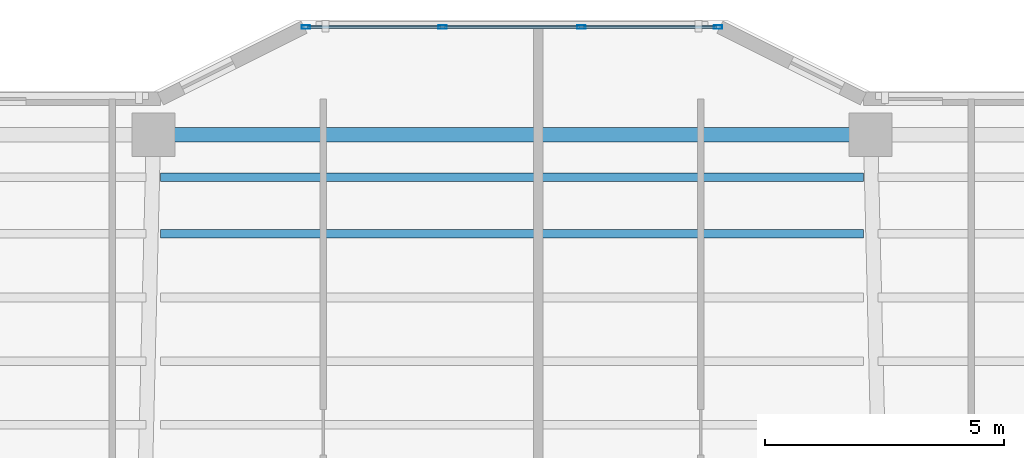
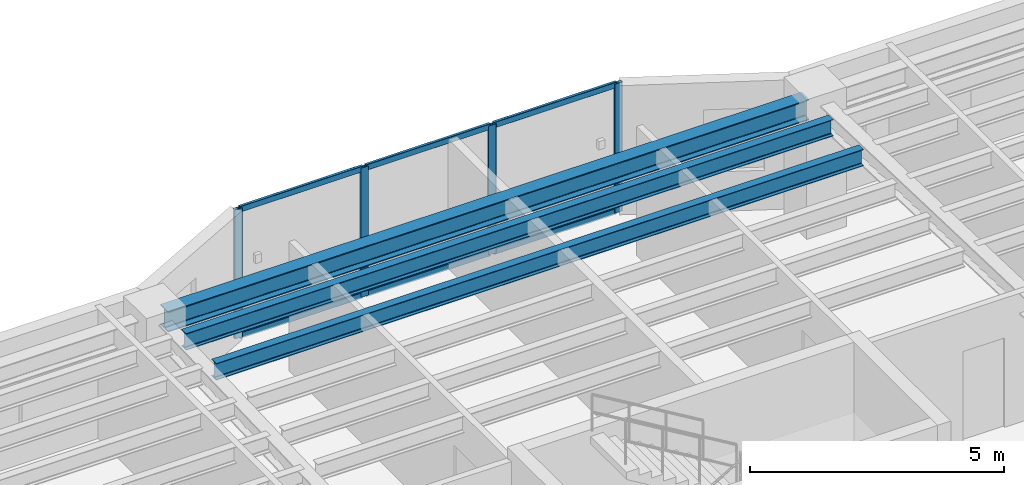
# One storey, part 4 of 15: 10 members, 3 beams, 1 element without a shape of its own.
"""IFC4 building model written with IfcOpenShell, lengths in metres."""

import ifcopenshell
import ifcopenshell.guid

model = None  # the IFC model being written
_history = None  # IfcOwnerHistory: only IFC2X3 demands one
_inside = {}  # id of a spatial element -> (the spatial element, [elements in it])
_under = {}  # id of a project, library or spatial element -> (it, [spatial elements below it])
_declared = {}  # id of a project -> (the project, [libraries it declares])
_typed = {}  # id of a type object -> (the type object, [elements of that type])
_made_of = {}  # id of a material, layer set ... -> (it, [elements and type objects made of it])


def new_model(schema):
    """Start an empty IFC model of exactly this schema.

    Asked for "IFC4X3", IfcOpenShell would pick the latest addendum, in which some entities
    have other attributes; the version numbers below select the first issue.
    IFC2X3 requires an IfcOwnerHistory on every rooted entity: one is made here for all.
    """
    global model, _history
    if schema == "IFC4X3":
        model = ifcopenshell.file(schema_version=(4, 3, 0, 0))
    else:
        model = ifcopenshell.file(schema=schema)
    _inside.clear()
    _under.clear()
    _declared.clear()
    _typed.clear()
    _made_of.clear()
    _history = None
    if model.schema == "IFC2X3":
        org = make("IfcOrganization", Name="unknown")
        user = make(
            "IfcPersonAndOrganization",
            ThePerson=make("IfcPerson", FamilyName="unknown"),
            TheOrganization=org,
        )
        app = make(
            "IfcApplication",
            ApplicationDeveloper=org,
            Version="unknown",
            ApplicationFullName="unknown",
            ApplicationIdentifier="unknown",
        )
        _history = make(
            "IfcOwnerHistory",
            OwningUser=user,
            OwningApplication=app,
            ChangeAction="ADDED",
            CreationDate=0,
        )
    return model


def make(cls, **values):
    """One entity of the class cls with the attributes given. An attribute that is None is left unset."""
    return model.create_entity(
        cls, **{name: value for name, value in values.items() if value is not None}
    )


def rooted(cls, **values):
    """An entity with a GlobalId (a new one), such as an element, a storey or a relation."""
    return make(cls, GlobalId=ifcopenshell.guid.new(), OwnerHistory=_history, **values)


def si_unit(unit_type, name, prefix=None):
    """IfcSIUnit, for example si_unit("LENGTHUNIT", "METRE", prefix="MILLI")."""
    return make("IfcSIUnit", UnitType=unit_type, Prefix=prefix, Name=name)


def assignment(units):
    """IfcUnitAssignment: the units of a project."""
    return None if units is None else make("IfcUnitAssignment", Units=units)


def point(xyz):
    """IfcCartesianPoint."""
    return None if xyz is None else make("IfcCartesianPoint", Coordinates=xyz)


def direction(xyz):
    """IfcDirection."""
    return None if xyz is None else make("IfcDirection", DirectionRatios=xyz)


def frame(location, z_axis=None, x_axis=None):
    """IfcAxis2Placement3D, a coordinate frame: its origin and axes. An axis left out is left unset."""
    return make(
        "IfcAxis2Placement3D",
        Location=point(location),
        Axis=direction(z_axis),
        RefDirection=direction(x_axis),
    )


def frame_2d(location, x_axis=None):
    """IfcAxis2Placement2D, a coordinate frame in the plane: its origin and x axis."""
    return make(
        "IfcAxis2Placement2D", Location=point(location), RefDirection=direction(x_axis)
    )


def origin():
    """The frame at (0, 0, 0) with its axes left unset."""
    return frame((0.0, 0.0, 0.0))


def origin_2d():
    """The frame at (0, 0) in the plane with its x axis left unset."""
    return frame_2d((0.0, 0.0))


def place(relative_to, where):
    """IfcLocalPlacement: puts the frame where relative to a parent placement (None: the world)."""
    return make(
        "IfcLocalPlacement", PlacementRelTo=relative_to, RelativePlacement=where
    )


def context(
    kind, dimensions, precision=None, world=None, true_north=None, identifier=None
):
    """IfcGeometricRepresentationContext, for example the 3D "Model" context."""
    return make(
        "IfcGeometricRepresentationContext",
        ContextIdentifier=identifier,
        ContextType=kind,
        CoordinateSpaceDimension=dimensions,
        Precision=precision,
        WorldCoordinateSystem=world,
        TrueNorth=true_north,
    )


def subcontext(parent, identifier, kind, view, scale=None):
    """IfcGeometricRepresentationSubContext, for example "Body" below "Model"."""
    return make(
        "IfcGeometricRepresentationSubContext",
        ContextIdentifier=identifier,
        ContextType=kind,
        ParentContext=parent,
        TargetScale=scale,
        TargetView=view,
    )


def project(units=None, contexts=None):
    """IfcProject with its units and contexts."""
    return rooted(
        "IfcProject",
        Name="project",
        RepresentationContexts=contexts,
        UnitsInContext=assignment(units),
    )


def spatial(cls, under=None, at=None, **own):
    """A site, building, storey or space (cls), placed at a placement, below another one or the project."""
    s = rooted(cls, ObjectPlacement=at, **own)
    if under is not None:
        _under.setdefault(under.id(), (under, []))[1].append(s)
    return s


def profile(cls, at=None, kind="AREA", **sizes):
    """A parametric profile (cls). Its sizes go by their IFC names, for example OverallWidth=200.0."""
    return make(cls, ProfileType=kind, Position=at, **sizes)


def hollow_rectangle(**sizes):
    """IfcRectangleHollowProfileDef."""
    return profile("IfcRectangleHollowProfileDef", **sizes)


def i_section(**sizes):
    """IfcIShapeProfileDef."""
    return profile("IfcIShapeProfileDef", **sizes)


def extrude(swept, where, along, depth):
    """IfcExtrudedAreaSolid: the profile swept, set in the frame where, extruded along a direction by depth."""
    return make(
        "IfcExtrudedAreaSolid",
        SweptArea=swept,
        Position=where,
        ExtrudedDirection=direction(along),
        Depth=depth,
    )


def shape(context_of_items, identifier, shape_type, items):
    """IfcShapeRepresentation: the items that make up one representation, for example the "Body"."""
    return make(
        "IfcShapeRepresentation",
        ContextOfItems=context_of_items,
        RepresentationIdentifier=identifier,
        RepresentationType=shape_type,
        Items=items,
    )


def material(Name=None, Category=None):
    """IfcMaterial."""
    return make("IfcMaterial", Name=Name, Category=Category)


def layer(
    of_material, thickness, ventilated=None, Name=None, Category=None, Priority=None
):
    """IfcMaterialLayer: one layer of a wall or slab, of a material (None: an air gap)."""
    return make(
        "IfcMaterialLayer",
        Material=of_material,
        LayerThickness=thickness,
        IsVentilated=ventilated,
        Name=Name,
        Category=Category,
        Priority=Priority,
    )


def layer_set(layers, Name=None):
    """IfcMaterialLayerSet."""
    return make("IfcMaterialLayerSet", MaterialLayers=layers, LayerSetName=Name)


def material_profile(
    of_material, cross_section, Name=None, Category=None, Priority=None
):
    """IfcMaterialProfile: a cross section and its material."""
    return make(
        "IfcMaterialProfile",
        Name=Name,
        Material=of_material,
        Profile=cross_section,
        Priority=Priority,
        Category=Category,
    )


def profile_set(profiles, Name=None, composite=None):
    """IfcMaterialProfileSet."""
    return make(
        "IfcMaterialProfileSet",
        Name=Name,
        MaterialProfiles=profiles,
        CompositeProfile=composite,
    )


def made_of(thing, what):
    """Note that an element or type object is made of a material, layer set ...; save() writes the relation."""
    if what is not None:
        _made_of.setdefault(what.id(), (what, []))[1].append(thing)
    return thing


def type_object(cls, material=None, **own):
    """A type object (cls), such as IfcWallType, which elements share."""
    return made_of(rooted(cls, **own), material)


def element(
    cls,
    number,
    at=None,
    inside=None,
    cuts=None,
    type_object=None,
    material=None,
    context=None,
    identifier="Body",
    shape_type=None,
    held_by="IfcProductDefinitionShape",
    body=None,
    shapes=None,
    **own,
):
    """One element of the class cls, such as IfcWall. Its Tag is "e" and its number.

    at: its placement. inside: the storey or other place that contains it. cuts: it is an
    opening in that element (IfcRelVoidsElement). A single representation is given by context,
    identifier, shape_type and body (its items); several are given by shapes. held_by: the class
    of the entity that holds the representations. save() writes the other relations.
    """
    e = rooted(cls, Tag="e%d" % number, ObjectPlacement=at, **own)
    if body is not None:
        shapes = [shape(context, identifier, shape_type, body)]
    if shapes is not None:
        e.Representation = make(held_by, Representations=shapes)
    if inside is not None:
        _inside.setdefault(inside.id(), (inside, []))[1].append(e)
    if cuts is not None:
        rooted(
            "IfcRelVoidsElement", RelatingBuildingElement=cuts, RelatedOpeningElement=e
        )
    if type_object is not None:
        _typed.setdefault(type_object.id(), (type_object, []))[1].append(e)
    return made_of(e, material)


def aggregate(whole, parts):
    """IfcRelAggregates: a whole, such as a stair, and the parts it consists of."""
    return rooted("IfcRelAggregates", RelatingObject=whole, RelatedObjects=parts)


def save(model, path):
    """Write the relations noted so far, then the file.

    IfcRelAggregates (storeys below a building ...), IfcRelContainedInSpatialStructure (elements
    in a storey), IfcRelDefinesByType, IfcRelAssociatesMaterial and IfcRelDeclares: one each for
    every whole, place, type object, material and project.
    """
    for whole, parts in _under.values():
        aggregate(whole, parts)
    for where, things in _inside.values():
        rooted(
            "IfcRelContainedInSpatialStructure",
            RelatedElements=things,
            RelatingStructure=where,
        )
    for kind, things in _typed.values():
        rooted("IfcRelDefinesByType", RelatedObjects=things, RelatingType=kind)
    for what, things in _made_of.values():
        rooted("IfcRelAssociatesMaterial", RelatedObjects=things, RelatingMaterial=what)
    for by, libraries in _declared.values():
        rooted("IfcRelDeclares", RelatingContext=by, RelatedDefinitions=libraries)
    model.write(path)


model = new_model("IFC4")

# Units and contexts
model_context = context("Model", 3, precision=1e-05, world=origin(), true_north=direction((0.0, 1.0)))
body_context = subcontext(model_context, "Body", "Model", "MODEL_VIEW")
ifc_project = project(units=[si_unit("LENGTHUNIT", "METRE"), si_unit("AREAUNIT", "SQUARE_METRE"), si_unit("VOLUMEUNIT", "CUBIC_METRE"), si_unit("PLANEANGLEUNIT", "RADIAN"), si_unit("MASSUNIT", "GRAM", prefix="KILO")], contexts=[model_context])

# Site, building, storey
site_placement = place(None, origin())
site = spatial("IfcSite", under=ifc_project, at=site_placement, CompositionType="ELEMENT")
building_placement = place(site_placement, origin())
building = spatial("IfcBuilding", under=site, at=building_placement, Name="Tarnavaz Court Tower", CompositionType="ELEMENT")
storey_placement = place(building_placement, frame((0.0, 0.0, 142.64990234375)))
storey = spatial("IfcBuildingStorey", under=building, at=storey_placement, Name="L38", CompositionType="ELEMENT", Elevation=142.64990234375)

# Beams
ifc_material_1 = material(Name="Steel S355", Category="steel")
ifc_material_profile_1 = material_profile(ifc_material_1, i_section(OverallWidth=0.179931640625, OverallDepth=0.39990234375, WebThickness=0.008544921875, FlangeThickness=0.013427734375, FilletRadius=0.02099609375, at=origin_2d()), Name="IPE 400")
ifc_profile_set_1 = profile_set([ifc_material_profile_1], Name="Steel S355")
beam_type_1 = type_object("IfcBeamType", Name="BM-J-IPE400", PredefinedType="JOIST", material=ifc_profile_set_1)
for number, where, z_axis, x_axis, name in (
    (1, (-7.35009765625, 18.327880859375, 2.900146484375), (1.0, 0.0, 0.0), (0.0, 1.0, 0.0), "L38 Beam JN4-2"),
    (2, (-7.35009765625, 19.511962890625, 2.900146484375), (1.0, 0.0, 0.0), (0.0, 1.0, 0.0), "L38 Beam JN5-2"),
):
    element("IfcBeam", number, at=place(storey_placement, frame(where, z_axis=z_axis, x_axis=x_axis)), inside=storey, type_object=beam_type_1, Name=name, PredefinedType="JOIST", context=body_context, shape_type="SweptSolid", body=[
        extrude(i_section(OverallWidth=0.179931640625, OverallDepth=0.39990234375, WebThickness=0.008544921875, FlangeThickness=0.013427734375, FilletRadius=0.02099609375, at=origin_2d()), origin(), (0.0, 0.0, 1.0), 14.7001953125),
    ])
ifc_material_profile_2 = material_profile(ifc_material_1, i_section(OverallWidth=0.300048828125, OverallDepth=0.489990234375, WebThickness=0.011962890625, FlangeThickness=0.02294921875, FilletRadius=0.027099609375, at=origin_2d()), Name="HEA 500")
ifc_profile_set_2 = profile_set([ifc_material_profile_2], Name="Steel S355")
beam_type_2 = type_object("IfcBeamType", Name="BM-SP-HEA500", PredefinedType="SPANDREL", material=ifc_profile_set_2)
beam_placement = place(storey_placement, frame((-7.280029296875, 20.39990234375, 2.85498046875), z_axis=(1.0, 0.0, 0.0), x_axis=(0.0, 1.0, 0.0)))
element("IfcBeam", 3, at=beam_placement, inside=storey, type_object=beam_type_2, Name="L38 Beam PR-PN-2-PN-3", PredefinedType="SPANDREL", context=body_context, shape_type="SweptSolid", body=[
    extrude(i_section(OverallWidth=0.300048828125, OverallDepth=0.489990234375, WebThickness=0.011962890625, FlangeThickness=0.02294921875, FilletRadius=0.027099609375, at=origin_2d()), origin(), (0.0, 0.0, 1.0), 14.56005859375),
])

# Curtain wall, members
ifc_material_2 = material(Name="Anodised Aluminium 6063-T6 and Solar Low-E Glazing", Category="aluminium")
ifc_layer = layer(ifc_material_2, 0.159912109375)
ifc_layer_set = layer_set([ifc_layer], Name="Anodised Aluminium 6063-T6 and Solar Low-E Glazing")
curtain_wall_type = type_object("IfcCurtainWallType", Name="CW-SYS-03", PredefinedType="NOTDEFINED", material=ifc_layer_set)
curtain_wall_placement = place(storey_placement, origin())
curtain_wall = element("IfcCurtainWall", 4, at=curtain_wall_placement, inside=storey, type_object=curtain_wall_type, Name="L38 Iwan Prow Curtain Wall 7", PredefinedType="NOTDEFINED")
ifc_material_3 = material(Name="Anodised Aluminium 6063-T6", Category="aluminium")
ifc_material_profile_3 = material_profile(ifc_material_3, hollow_rectangle(XDim=0.074951171875, YDim=0.179931640625, WallThickness=0.0048828125, InnerFilletRadius=0.0048828125, OuterFilletRadius=0.010009765625, at=origin_2d()), Name="ALU RHS 180X75X5")
ifc_profile_set_3 = profile_set([ifc_material_profile_3], Name="Anodised Aluminium 6063-T6")
member_type_1 = type_object("IfcMemberType", Name="CW-MUL-180", PredefinedType="MULLION", material=ifc_profile_set_3)
member_1_placement = place(storey_placement, frame((-4.3125, 22.64990234375, 0.0), z_axis=(0.0, 0.0, 1.0), x_axis=(0.0, 1.0, 0.0)))
member_1 = element("IfcMember", 5, at=member_1_placement, type_object=member_type_1, Name="CW mullion 1", PredefinedType="MULLION", context=body_context, shape_type="SweptSolid", body=[
    extrude(hollow_rectangle(XDim=0.074951171875, YDim=0.179931640625, WallThickness=0.0048828125, InnerFilletRadius=0.0048828125, OuterFilletRadius=0.010009765625, at=origin_2d()), origin(), (0.0, 0.0, 1.0), 3.10009765625),
])
member_2_placement = place(storey_placement, frame((-1.449951171875, 22.64990234375, 0.0), z_axis=(0.0, 0.0, 1.0), x_axis=(0.0, 1.0, 0.0)))
member_2 = element("IfcMember", 6, at=member_2_placement, type_object=member_type_1, Name="CW mullion 2", PredefinedType="MULLION", context=body_context, shape_type="SweptSolid", body=[
    extrude(hollow_rectangle(XDim=0.074951171875, YDim=0.179931640625, WallThickness=0.0048828125, InnerFilletRadius=0.0048828125, OuterFilletRadius=0.010009765625, at=origin_2d()), origin(), (0.0, 0.0, 1.0), 3.10009765625),
])
member_3_placement = place(storey_placement, frame((1.449951171875, 22.64990234375, 0.0), z_axis=(0.0, 0.0, 1.0), x_axis=(0.0, 1.0, 0.0)))
member_3 = element("IfcMember", 7, at=member_3_placement, type_object=member_type_1, Name="CW mullion 3", PredefinedType="MULLION", context=body_context, shape_type="SweptSolid", body=[
    extrude(hollow_rectangle(XDim=0.074951171875, YDim=0.179931640625, WallThickness=0.0048828125, InnerFilletRadius=0.0048828125, OuterFilletRadius=0.010009765625, at=origin_2d()), origin(), (0.0, 0.0, 1.0), 3.10009765625),
])
member_4_placement = place(storey_placement, frame((4.3125, 22.64990234375, 0.0), z_axis=(0.0, 0.0, 1.0), x_axis=(0.0, 1.0, 0.0)))
member_4 = element("IfcMember", 8, at=member_4_placement, type_object=member_type_1, Name="CW mullion 4", PredefinedType="MULLION", context=body_context, shape_type="SweptSolid", body=[
    extrude(hollow_rectangle(XDim=0.074951171875, YDim=0.179931640625, WallThickness=0.0048828125, InnerFilletRadius=0.0048828125, OuterFilletRadius=0.010009765625, at=origin_2d()), origin(), (0.0, 0.0, 1.0), 3.10009765625),
])
ifc_material_profile_4 = material_profile(ifc_material_3, hollow_rectangle(XDim=0.06494140625, YDim=0.139892578125, WallThickness=0.00390625, InnerFilletRadius=0.00390625, OuterFilletRadius=0.008056640625, at=origin_2d()), Name="ALU RHS 140X65X4")
ifc_profile_set_4 = profile_set([ifc_material_profile_4], Name="Anodised Aluminium 6063-T6")
member_type_2 = type_object("IfcMemberType", Name="CW-TRN-140", PredefinedType="USERDEFINED", material=ifc_profile_set_4)
member_5_placement = place(storey_placement, frame((-4.27490234375, 22.64990234375, 0.03271484375), z_axis=(1.0, 0.0, 0.0), x_axis=(0.0, 1.0, 0.0)))
member_5 = element("IfcMember", 9, at=member_5_placement, type_object=member_type_2, Name="CW transom 1.1", ObjectType="TRANSOM", PredefinedType="USERDEFINED", context=body_context, shape_type="SweptSolid", body=[
    extrude(hollow_rectangle(XDim=0.06494140625, YDim=0.139892578125, WallThickness=0.00390625, InnerFilletRadius=0.00390625, OuterFilletRadius=0.008056640625, at=origin_2d()), origin(), (0.0, 0.0, 1.0), 2.787353515625),
])
member_6_placement = place(storey_placement, frame((-4.27490234375, 22.64990234375, 3.067626953125), z_axis=(1.0, 0.0, 0.0), x_axis=(0.0, 1.0, 0.0)))
member_6 = element("IfcMember", 10, at=member_6_placement, type_object=member_type_2, Name="CW transom 1.2", ObjectType="TRANSOM", PredefinedType="USERDEFINED", context=body_context, shape_type="SweptSolid", body=[
    extrude(hollow_rectangle(XDim=0.06494140625, YDim=0.139892578125, WallThickness=0.00390625, InnerFilletRadius=0.00390625, OuterFilletRadius=0.008056640625, at=origin_2d()), origin(), (0.0, 0.0, 1.0), 2.787353515625),
])
member_7_placement = place(storey_placement, frame((-1.41259765625, 22.64990234375, 0.03271484375), z_axis=(1.0, 0.0, 0.0), x_axis=(0.0, 1.0, 0.0)))
member_7 = element("IfcMember", 11, at=member_7_placement, type_object=member_type_2, Name="CW transom 2.1", ObjectType="TRANSOM", PredefinedType="USERDEFINED", context=body_context, shape_type="SweptSolid", body=[
    extrude(hollow_rectangle(XDim=0.06494140625, YDim=0.139892578125, WallThickness=0.00390625, InnerFilletRadius=0.00390625, OuterFilletRadius=0.008056640625, at=origin_2d()), origin(), (0.0, 0.0, 1.0), 2.8251953125),
])
member_8_placement = place(storey_placement, frame((-1.41259765625, 22.64990234375, 3.067626953125), z_axis=(1.0, 0.0, 0.0), x_axis=(0.0, 1.0, 0.0)))
member_8 = element("IfcMember", 12, at=member_8_placement, type_object=member_type_2, Name="CW transom 2.2", ObjectType="TRANSOM", PredefinedType="USERDEFINED", context=body_context, shape_type="SweptSolid", body=[
    extrude(hollow_rectangle(XDim=0.06494140625, YDim=0.139892578125, WallThickness=0.00390625, InnerFilletRadius=0.00390625, OuterFilletRadius=0.008056640625, at=origin_2d()), origin(), (0.0, 0.0, 1.0), 2.8251953125),
])
member_9_placement = place(storey_placement, frame((1.487548828125, 22.64990234375, 0.03271484375), z_axis=(1.0, 0.0, 0.0), x_axis=(0.0, 1.0, 0.0)))
member_9 = element("IfcMember", 13, at=member_9_placement, type_object=member_type_2, Name="CW transom 3.1", ObjectType="TRANSOM", PredefinedType="USERDEFINED", context=body_context, shape_type="SweptSolid", body=[
    extrude(hollow_rectangle(XDim=0.06494140625, YDim=0.139892578125, WallThickness=0.00390625, InnerFilletRadius=0.00390625, OuterFilletRadius=0.008056640625, at=origin_2d()), origin(), (0.0, 0.0, 1.0), 2.787353515625),
])
member_10_placement = place(storey_placement, frame((1.487548828125, 22.64990234375, 3.067626953125), z_axis=(1.0, 0.0, 0.0), x_axis=(0.0, 1.0, 0.0)))
member_10 = element("IfcMember", 14, at=member_10_placement, type_object=member_type_2, Name="CW transom 3.2", ObjectType="TRANSOM", PredefinedType="USERDEFINED", context=body_context, shape_type="SweptSolid", body=[
    extrude(hollow_rectangle(XDim=0.06494140625, YDim=0.139892578125, WallThickness=0.00390625, InnerFilletRadius=0.00390625, OuterFilletRadius=0.008056640625, at=origin_2d()), origin(), (0.0, 0.0, 1.0), 2.787353515625),
])
aggregate(curtain_wall, [member_1, member_2, member_3, member_4, member_5, member_6, member_7, member_8, member_9, member_10])

save(model, "model.ifc")
